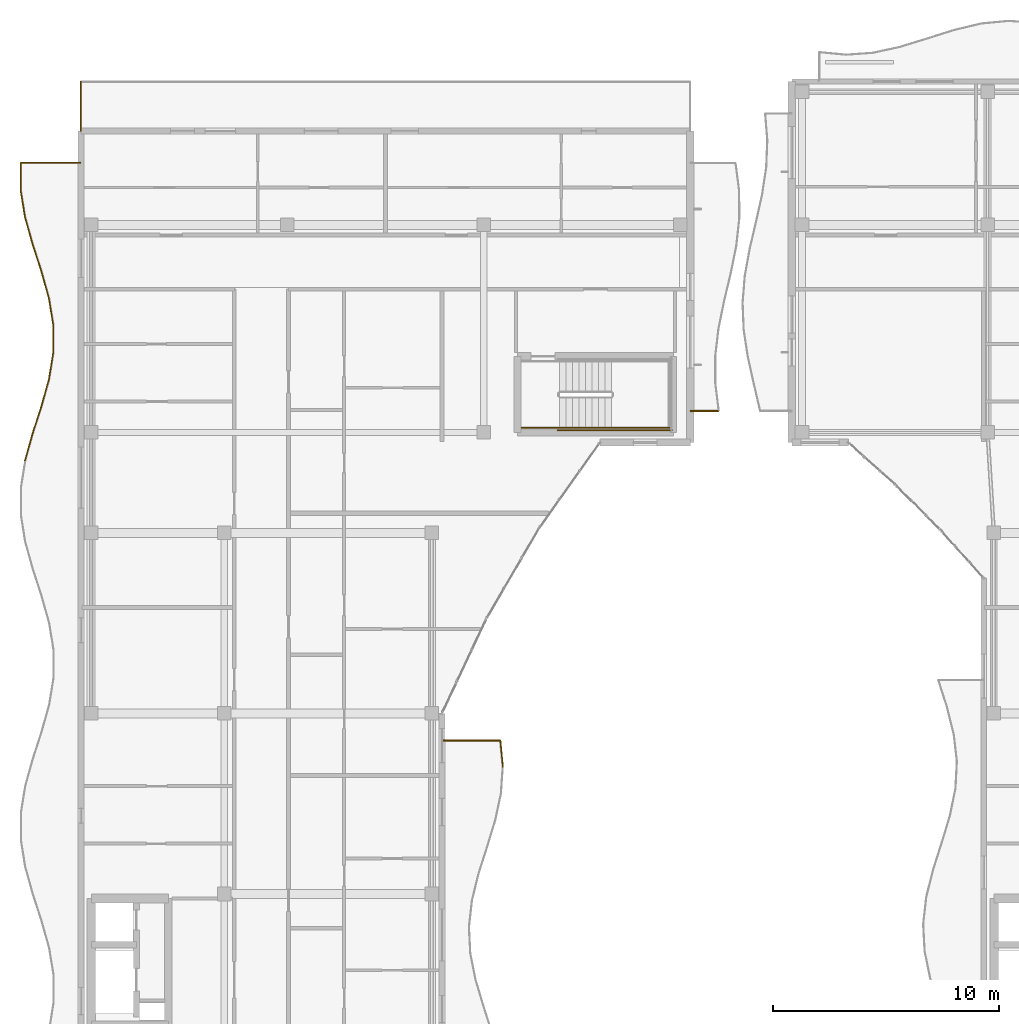
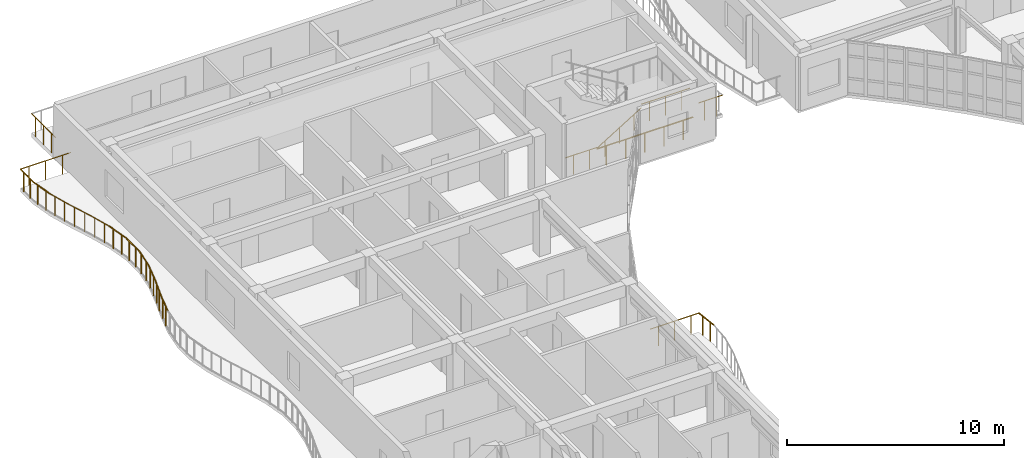
# One storey, part 52 of 71: 20 railings.
"""IFC4 building model written with IfcOpenShell, lengths in metres."""

from ifc_helpers import new_model, si_unit, direction, frame, origin, origin_2d, place, context, subcontext, project, spatial, circle, extrude, material, type_object, element, save


model = new_model("IFC4")

# Units and contexts
model_context = context("Model", 3, precision=1e-05, world=origin(), true_north=direction((0.0, 1.0)))
body_context = subcontext(model_context, "Body", "Model", "MODEL_VIEW")
ifc_project = project(units=[si_unit("LENGTHUNIT", "METRE"), si_unit("AREAUNIT", "SQUARE_METRE"), si_unit("VOLUMEUNIT", "CUBIC_METRE"), si_unit("PLANEANGLEUNIT", "RADIAN"), si_unit("MASSUNIT", "GRAM", prefix="KILO")], contexts=[model_context])

# Site, building, storey
site_placement = place(None, origin())
site = spatial("IfcSite", under=ifc_project, at=site_placement, CompositionType="ELEMENT")
building_placement = place(site_placement, origin())
building = spatial("IfcBuilding", under=site, at=building_placement, Name="Keldmere Railside Commons", CompositionType="ELEMENT")
storey_placement = place(building_placement, frame((0.0, 0.0, 20.159912109375)))
storey = spatial("IfcBuildingStorey", under=building, at=storey_placement, Name="L06", CompositionType="ELEMENT", Elevation=20.159912109375)

# Railings
ifc_material = material(Name="Steel F-24 (S235)", Category="steel")
railing_type_1 = type_object("IfcRailingType", Name="Balcony & Terrace Steel Balustrade 1100", PredefinedType="BALUSTRADE", material=ifc_material)
railing_1_placement = place(storey_placement, frame((26.69921875, 85.6201171875, 0.0)))
element("IfcRailing", 1, at=railing_1_placement, inside=storey, type_object=railing_type_1, Name="GR-1 GRD-L06-0632", PredefinedType="BALUSTRADE", context=body_context, shape_type="SweptSolid", body=[
    extrude(circle(Radius=0.02392578125, at=origin_2d()), frame((0.0, 0.0, 1.076171875), z_axis=(-0.096179390767, 0.995364016223, 0.0), x_axis=(-0.995364016223, -0.096179390767, 0.0)), (0.0, 0.0, 1.0), 1.185546875),
    extrude(circle(Radius=0.02099609375, at=origin_2d()), frame((-0.028564453125, 0.294921875, 0.0)), (0.0, 0.0, 1.0), 1.048095703125),
    extrude(circle(Radius=0.02099609375, at=origin_2d()), frame((-0.08544921875, 0.885009765625, 0.0)), (0.0, 0.0, 1.0), 1.048095703125),
])
railing_2_placement = place(storey_placement, frame((26.585205078125, 86.800048828125, 0.0)))
element("IfcRailing", 2, at=railing_2_placement, inside=storey, type_object=railing_type_1, Name="GR-1 GRD-L06-0633", PredefinedType="BALUSTRADE", context=body_context, shape_type="SweptSolid", body=[
    extrude(circle(Radius=0.02392578125, at=origin_2d()), frame((0.0, 0.0, 1.076171875), z_axis=(-1.0, 0.0, 0.0), x_axis=(0.0, -1.0, 0.0)), (0.0, 0.0, 1.0), 2.585205078125),
    extrude(circle(Radius=0.02099609375, at=origin_2d()), frame((-0.430908203125, 0.0, 0.0)), (0.0, 0.0, 1.0), 1.048095703125),
    extrude(circle(Radius=0.02099609375, at=origin_2d()), frame((-1.29248046875, 0.0, 0.0)), (0.0, 0.0, 1.0), 1.048095703125),
    extrude(circle(Radius=0.02099609375, at=origin_2d()), frame((-2.154296875, 0.0, 0.0)), (0.0, 0.0, 1.0), 1.048095703125),
])
railing_3_placement = place(storey_placement, frame((5.520751953125, 99.199951171875, 0.0)))
element("IfcRailing", 3, at=railing_3_placement, inside=storey, type_object=railing_type_1, Name="GR-1 GRD-L06-0665", PredefinedType="BALUSTRADE", context=body_context, shape_type="SweptSolid", body=[
    extrude(circle(Radius=0.02392578125, at=origin_2d()), frame((0.0, 0.0, 1.076171875), z_axis=(0.270138516063, 0.962821469505, 0.0), x_axis=(-0.962821469505, 0.270138516063, 0.0)), (0.0, 0.0, 1.0), 1.246337890625),
    extrude(circle(Radius=0.02099609375, at=origin_2d()), frame((0.084228515625, 0.300048828125, 0.0)), (0.0, 0.0, 1.0), 1.048095703125),
    extrude(circle(Radius=0.02099609375, at=origin_2d()), frame((0.25244140625, 0.89990234375, 0.0)), (0.0, 0.0, 1.0), 1.048095703125),
])
railing_4_placement = place(storey_placement, frame((5.857421875, 100.39990234375, 0.0)))
element("IfcRailing", 4, at=railing_4_placement, inside=storey, type_object=railing_type_1, Name="GR-1 GRD-L06-0666", PredefinedType="BALUSTRADE", context=body_context, shape_type="SweptSolid", body=[
    extrude(circle(Radius=0.02392578125, at=origin_2d()), frame((0.0, 0.0, 1.076171875), z_axis=(0.307737834048, 0.95147119005, 0.0), x_axis=(-0.95147119005, 0.307737834048, 0.0)), (0.0, 0.0, 1.0), 1.261474609375),
    extrude(circle(Radius=0.02099609375, at=origin_2d()), frame((0.09716796875, 0.300048828125, 0.0)), (0.0, 0.0, 1.0), 1.048095703125),
    extrude(circle(Radius=0.02099609375, at=origin_2d()), frame((0.291015625, 0.900146484375, 0.0)), (0.0, 0.0, 1.0), 1.048095703125),
])
railing_5_placement = place(storey_placement, frame((6.24560546875, 101.60009765625, 0.0)))
element("IfcRailing", 5, at=railing_5_placement, inside=storey, type_object=railing_type_1, Name="GR-1 GRD-L06-0667", PredefinedType="BALUSTRADE", context=body_context, shape_type="SweptSolid", body=[
    extrude(circle(Radius=0.02392578125, at=origin_2d()), frame((0.0, 0.0, 1.076171875), z_axis=(0.269593588983, 0.962974193205, 0.0), x_axis=(-0.962974193205, 0.269593588983, 0.0)), (0.0, 0.0, 1.0), 1.24609375),
    extrude(circle(Radius=0.02099609375, at=origin_2d()), frame((0.083984375, 0.300048828125, 0.0)), (0.0, 0.0, 1.0), 1.048095703125),
    extrude(circle(Radius=0.02099609375, at=origin_2d()), frame((0.251953125, 0.89990234375, 0.0)), (0.0, 0.0, 1.0), 1.048095703125),
])
railing_6_placement = place(storey_placement, frame((6.58154296875, 102.800048828125, 0.0)))
element("IfcRailing", 6, at=railing_6_placement, inside=storey, type_object=railing_type_1, Name="GR-1 GRD-L06-0668", PredefinedType="BALUSTRADE", context=body_context, shape_type="SweptSolid", body=[
    extrude(circle(Radius=0.02392578125, at=origin_2d()), frame((0.0, 0.0, 1.076171875), z_axis=(0.159087184931, 0.987264537797, 0.0), x_axis=(-0.987264537797, 0.159087184931, 0.0)), (0.0, 0.0, 1.0), 1.21533203125),
    extrude(circle(Radius=0.02099609375, at=origin_2d()), frame((0.04833984375, 0.300048828125, 0.0)), (0.0, 0.0, 1.0), 1.048095703125),
    extrude(circle(Radius=0.02099609375, at=origin_2d()), frame((0.14501953125, 0.89990234375, 0.0)), (0.0, 0.0, 1.0), 1.048095703125),
])
railing_7_placement = place(storey_placement, frame((6.77490234375, 104.0, 0.0)))
element("IfcRailing", 7, at=railing_7_placement, inside=storey, type_object=railing_type_1, Name="GR-1 GRD-L06-0669", PredefinedType="BALUSTRADE", context=body_context, shape_type="SweptSolid", body=[
    extrude(circle(Radius=0.02392578125, at=origin_2d()), frame((0.0, 0.0, 1.076171875), z_axis=(-0.000813834929, 0.999999668836, 0.0), x_axis=(-0.999999668836, -0.000813834929, 0.0)), (0.0, 0.0, 1.0), 1.199951171875),
    extrude(circle(Radius=0.02099609375, at=origin_2d()), frame((-0.000244140625, 0.300048828125, 0.0)), (0.0, 0.0, 1.0), 1.048095703125),
    extrude(circle(Radius=0.02099609375, at=origin_2d()), frame((-0.000732421875, 0.89990234375, 0.0)), (0.0, 0.0, 1.0), 1.048095703125),
])
railing_8_placement = place(storey_placement, frame((6.77392578125, 105.199951171875, 0.0)))
element("IfcRailing", 8, at=railing_8_placement, inside=storey, type_object=railing_type_1, Name="GR-1 GRD-L06-0670", PredefinedType="BALUSTRADE", context=body_context, shape_type="SweptSolid", body=[
    extrude(circle(Radius=0.02392578125, at=origin_2d()), frame((0.0, 0.0, 1.076171875), z_axis=(-0.160261550054, 0.987074584606, 0.0), x_axis=(-0.987074584606, -0.160261550054, 0.0)), (0.0, 0.0, 1.0), 1.215576171875),
    extrude(circle(Radius=0.02099609375, at=origin_2d()), frame((-0.048828125, 0.300048828125, 0.0)), (0.0, 0.0, 1.0), 1.048095703125),
    extrude(circle(Radius=0.02099609375, at=origin_2d()), frame((-0.14599609375, 0.89990234375, 0.0)), (0.0, 0.0, 1.0), 1.048095703125),
])
railing_9_placement = place(storey_placement, frame((6.5791015625, 106.39990234375, 0.0)))
element("IfcRailing", 9, at=railing_9_placement, inside=storey, type_object=railing_type_1, Name="GR-1 GRD-L06-0671", PredefinedType="BALUSTRADE", context=body_context, shape_type="SweptSolid", body=[
    extrude(circle(Radius=0.02392578125, at=origin_2d()), frame((0.0, 0.0, 1.076171875), z_axis=(-0.270087574081, 0.962835760827, 0.0), x_axis=(-0.962835760827, -0.270087574081, 0.0)), (0.0, 0.0, 1.0), 1.24658203125),
    extrude(circle(Radius=0.02099609375, at=origin_2d()), frame((-0.084228515625, 0.300048828125, 0.0)), (0.0, 0.0, 1.0), 1.048095703125),
    extrude(circle(Radius=0.02099609375, at=origin_2d()), frame((-0.25244140625, 0.900146484375, 0.0)), (0.0, 0.0, 1.0), 1.048095703125),
])
railing_10_placement = place(storey_placement, frame((6.242431640625, 107.60009765625, 0.0)))
element("IfcRailing", 10, at=railing_10_placement, inside=storey, type_object=railing_type_1, Name="GR-1 GRD-L06-0672", PredefinedType="BALUSTRADE", context=body_context, shape_type="SweptSolid", body=[
    extrude(circle(Radius=0.02392578125, at=origin_2d()), frame((0.0, 0.0, 1.076171875), z_axis=(-0.307794514865, 0.9514528557, 0.0), x_axis=(-0.9514528557, -0.307794514865, 0.0)), (0.0, 0.0, 1.0), 1.26123046875),
    extrude(circle(Radius=0.02099609375, at=origin_2d()), frame((-0.09716796875, 0.300048828125, 0.0)), (0.0, 0.0, 1.0), 1.048095703125),
    extrude(circle(Radius=0.02099609375, at=origin_2d()), frame((-0.291015625, 0.89990234375, 0.0)), (0.0, 0.0, 1.0), 1.048095703125),
])
railing_11_placement = place(storey_placement, frame((5.854248046875, 108.800048828125, 0.0)))
element("IfcRailing", 11, at=railing_11_placement, inside=storey, type_object=railing_type_1, Name="GR-1 GRD-L06-0673", PredefinedType="BALUSTRADE", context=body_context, shape_type="SweptSolid", body=[
    extrude(circle(Radius=0.02392578125, at=origin_2d()), frame((0.0, 0.0, 1.076171875), z_axis=(-0.269411889025, 0.963025043315, 0.0), x_axis=(-0.963025043315, -0.269411889025, 0.0)), (0.0, 0.0, 1.0), 1.24609375),
    extrude(circle(Radius=0.02099609375, at=origin_2d()), frame((-0.083984375, 0.300048828125, 0.0)), (0.0, 0.0, 1.0), 1.048095703125),
    extrude(circle(Radius=0.02099609375, at=origin_2d()), frame((-0.251708984375, 0.89990234375, 0.0)), (0.0, 0.0, 1.0), 1.048095703125),
])
railing_12_placement = place(storey_placement, frame((5.5185546875, 110.0, 0.0)))
element("IfcRailing", 12, at=railing_12_placement, inside=storey, type_object=railing_type_1, Name="GR-1 GRD-L06-0674", PredefinedType="BALUSTRADE", context=body_context, shape_type="SweptSolid", body=[
    extrude(circle(Radius=0.02392578125, at=origin_2d()), frame((0.0, 0.0, 1.076171875), z_axis=(-0.159087184931, 0.987264537797, 0.0), x_axis=(-0.987264537797, -0.159087184931, 0.0)), (0.0, 0.0, 1.0), 1.21533203125),
    extrude(circle(Radius=0.02099609375, at=origin_2d()), frame((-0.04833984375, 0.300048828125, 0.0)), (0.0, 0.0, 1.0), 1.048095703125),
    extrude(circle(Radius=0.02099609375, at=origin_2d()), frame((-0.14501953125, 0.89990234375, 0.0)), (0.0, 0.0, 1.0), 1.048095703125),
])
railing_13_placement = place(storey_placement, frame((5.3251953125, 111.199951171875, 0.0)))
element("IfcRailing", 13, at=railing_13_placement, inside=storey, type_object=railing_type_1, Name="GR-1 GRD-L06-0675", PredefinedType="BALUSTRADE", context=body_context, shape_type="SweptSolid", body=[
    extrude(circle(Radius=0.02392578125, at=origin_2d()), frame((0.0, 0.0, 1.076171875), z_axis=(0.000610376285, 0.99999981372, 0.0), x_axis=(-0.99999981372, 0.000610376285, 0.0)), (0.0, 0.0, 1.0), 1.199951171875),
    extrude(circle(Radius=0.02099609375, at=origin_2d()), frame((0.000244140625, 0.300048828125, 0.0)), (0.0, 0.0, 1.0), 1.048095703125),
    extrude(circle(Radius=0.02099609375, at=origin_2d()), frame((0.00048828125, 0.89990234375, 0.0)), (0.0, 0.0, 1.0), 1.048095703125),
])
railing_14_placement = place(storey_placement, frame((5.325927734375, 112.39990234375, 0.0)))
element("IfcRailing", 14, at=railing_14_placement, inside=storey, type_object=railing_type_1, Name="GR-1 GRD-L06-0676", PredefinedType="BALUSTRADE", context=body_context, shape_type="SweptSolid", body=[
    extrude(circle(Radius=0.02392578125, at=origin_2d()), frame((0.0, 0.0, 1.076171875), z_axis=(1.0, 0.0, 0.0), x_axis=(0.0, 1.0, 0.0)), (0.0, 0.0, 1.0), 2.674072265625),
    extrude(circle(Radius=0.02099609375, at=origin_2d()), frame((0.44580078125, 0.0, 0.0)), (0.0, 0.0, 1.0), 1.048095703125),
    extrude(circle(Radius=0.02099609375, at=origin_2d()), frame((1.3369140625, 0.0, 0.0)), (0.0, 0.0, 1.0), 1.048095703125),
    extrude(circle(Radius=0.02099609375, at=origin_2d()), frame((2.228515625, 0.0, 0.0)), (0.0, 0.0, 1.0), 1.048095703125),
])
railing_15_placement = place(storey_placement, frame((35.0, 101.39990234375, 0.0)))
element("IfcRailing", 15, at=railing_15_placement, inside=storey, type_object=railing_type_1, Name="GR-1 GRD-L06-0677", PredefinedType="BALUSTRADE", context=body_context, shape_type="SweptSolid", body=[
    extrude(circle(Radius=0.02392578125, at=origin_2d()), frame((0.0, 0.0, 1.076171875), z_axis=(1.0, 0.0, 0.0), x_axis=(0.0, 1.0, 0.0)), (0.0, 0.0, 1.0), 1.271728515625),
    extrude(circle(Radius=0.02099609375, at=origin_2d()), frame((0.31787109375, 0.0, 0.0)), (0.0, 0.0, 1.0), 1.048095703125),
    extrude(circle(Radius=0.02099609375, at=origin_2d()), frame((0.953857421875, 0.0, 0.0)), (0.0, 0.0, 1.0), 1.048095703125),
])
railing_16_placement = place(storey_placement, frame((8.0, 113.800048828125, 0.0)))
element("IfcRailing", 16, at=railing_16_placement, inside=storey, type_object=railing_type_1, Name="GR-1 GRD-L06-0691", PredefinedType="BALUSTRADE", context=body_context, shape_type="SweptSolid", body=[
    extrude(circle(Radius=0.02392578125, at=origin_2d()), frame((0.0, 0.0, 1.076171875), z_axis=(0.0, 1.0, 0.0), x_axis=(-1.0, 0.0, 0.0)), (0.0, 0.0, 1.0), 2.199951171875),
    extrude(circle(Radius=0.02099609375, at=origin_2d()), frame((0.0, 0.36669921875, 0.0)), (0.0, 0.0, 1.0), 1.048095703125),
    extrude(circle(Radius=0.02099609375, at=origin_2d()), frame((0.0, 1.10009765625, 0.0)), (0.0, 0.0, 1.0), 1.048095703125),
    extrude(circle(Radius=0.02099609375, at=origin_2d()), frame((0.0, 1.833251953125, 0.0)), (0.0, 0.0, 1.0), 1.048095703125),
])
railing_type_2 = type_object("IfcRailingType", Name="Stair Well Steel Guardrail 1100", PredefinedType="BALUSTRADE", material=ifc_material)
railing_17_placement = place(storey_placement, frame((31.52001953125, 100.64990234375, 1.60009765625)))
element("IfcRailing", 17, at=railing_17_placement, inside=storey, type_object=railing_type_2, Name="L06 ST-D2 stair guard 3", PredefinedType="BALUSTRADE", context=body_context, shape_type="SweptSolid", body=[
    extrude(circle(Radius=0.02392578125, at=origin_2d()), frame((0.0, 0.0, 1.076171875), z_axis=(1.0, 0.0, 0.0), x_axis=(0.0, 1.0, 0.0)), (0.0, 0.0, 1.0), 2.580078125),
    extrude(circle(Radius=0.02099609375, at=origin_2d()), frame((0.429931640625, 0.0, 0.0)), (0.0, 0.0, 1.0), 1.048095703125),
    extrude(circle(Radius=0.02099609375, at=origin_2d()), frame((1.2900390625, 0.0, 0.0)), (0.0, 0.0, 1.0), 1.048095703125),
    extrude(circle(Radius=0.02099609375, at=origin_2d()), frame((2.150146484375, 0.0, 0.0)), (0.0, 0.0, 1.0), 1.048095703125),
])
railing_18_placement = place(storey_placement, frame((27.5, 100.64990234375, 0.0)))
element("IfcRailing", 18, at=railing_18_placement, inside=storey, type_object=railing_type_2, Name="L06 ST-D2 stair guard 8", PredefinedType="BALUSTRADE", context=body_context, shape_type="SweptSolid", body=[
    extrude(circle(Radius=0.02392578125, at=origin_2d()), frame((0.0, 0.0, 1.076171875), z_axis=(1.0, 0.0, 0.0), x_axis=(0.0, 1.0, 0.0)), (0.0, 0.0, 1.0), 1.699951171875),
    extrude(circle(Radius=0.02099609375, at=origin_2d()), frame((0.425048828125, 0.0, 0.0)), (0.0, 0.0, 1.0), 1.048095703125),
    extrude(circle(Radius=0.02099609375, at=origin_2d()), frame((1.27490234375, 0.0, 0.0)), (0.0, 0.0, 1.0), 1.048095703125),
])
railing_19_placement = place(storey_placement, frame((29.10009765625, 100.550048828125, 0.0)))
element("IfcRailing", 19, at=railing_19_placement, inside=storey, type_object=railing_type_2, Name="L06 ST-D2 stair guard 10", PredefinedType="BALUSTRADE", context=body_context, shape_type="SweptSolid", body=[
    extrude(circle(Radius=0.02392578125, at=origin_2d()), frame((0.0, 0.0, 1.076171875), z_axis=(1.0, 0.0, 0.0), x_axis=(0.0, 1.0, 0.0)), (0.0, 0.0, 1.0), 5.099853515625),
    extrude(circle(Radius=0.02099609375, at=origin_2d()), frame((0.510009765625, 0.0, 0.0)), (0.0, 0.0, 1.0), 1.048095703125),
    extrude(circle(Radius=0.02099609375, at=origin_2d()), frame((1.530029296875, 0.0, 0.0)), (0.0, 0.0, 1.0), 1.048095703125),
    extrude(circle(Radius=0.02099609375, at=origin_2d()), frame((2.5498046875, 0.0, 0.0)), (0.0, 0.0, 1.0), 1.048095703125),
    extrude(circle(Radius=0.02099609375, at=origin_2d()), frame((3.56982421875, 0.0, 0.0)), (0.0, 0.0, 1.0), 1.048095703125),
    extrude(circle(Radius=0.02099609375, at=origin_2d()), frame((4.58984375, 0.0, 0.0)), (0.0, 0.0, 1.0), 1.048095703125),
])
railing_type_3 = type_object("IfcRailingType", Name="Wall-Mounted Tubular Steel Handrail 900", PredefinedType="HANDRAIL", material=ifc_material)
railing_20_placement = place(storey_placement, frame((29.199951171875, 100.64990234375, 0.177978515625)))
element("IfcRailing", 20, at=railing_20_placement, inside=storey, type_object=railing_type_3, Name="L06 ST-D2 stair handrail 1", PredefinedType="HANDRAIL", context=body_context, shape_type="SweptSolid", body=[
    extrude(circle(Radius=0.02392578125, at=origin_2d()), frame((0.0, 0.0, 0.8759765625), z_axis=(0.852578041948, 0.0, 0.522599925744), x_axis=(0.0, 1.0, 0.0)), (0.0, 0.0, 1.0), 2.72119140625),
    extrude(circle(Radius=0.02099609375, at=origin_2d()), frame((0.38671875, 0.0, 0.237060546875)), (0.0, 0.0, 1.0), 0.847900390625),
    extrude(circle(Radius=0.02099609375, at=origin_2d()), frame((1.16015625, 0.0, 0.7109375)), (0.0, 0.0, 1.0), 0.847900390625),
    extrude(circle(Radius=0.02099609375, at=origin_2d()), frame((1.933349609375, 0.0, 1.18505859375)), (0.0, 0.0, 1.0), 0.847900390625),
])

save(model, "model.ifc")
